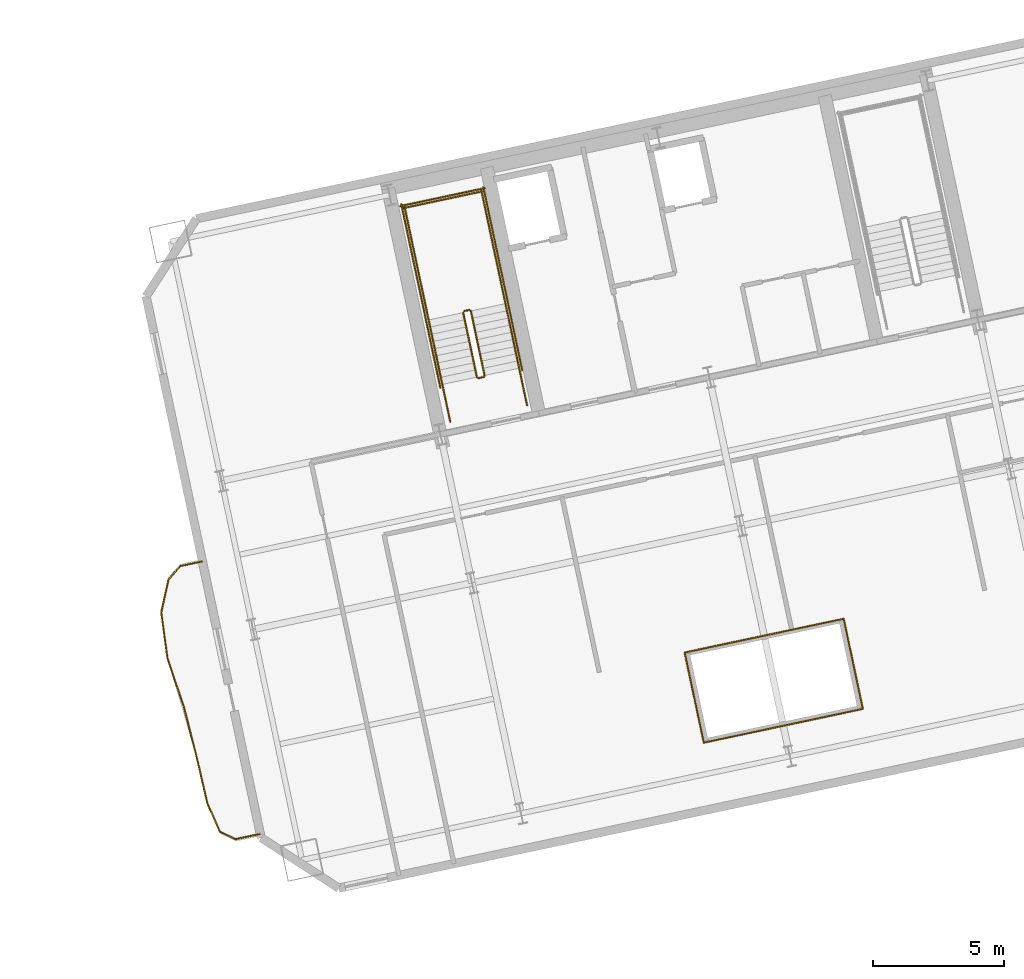
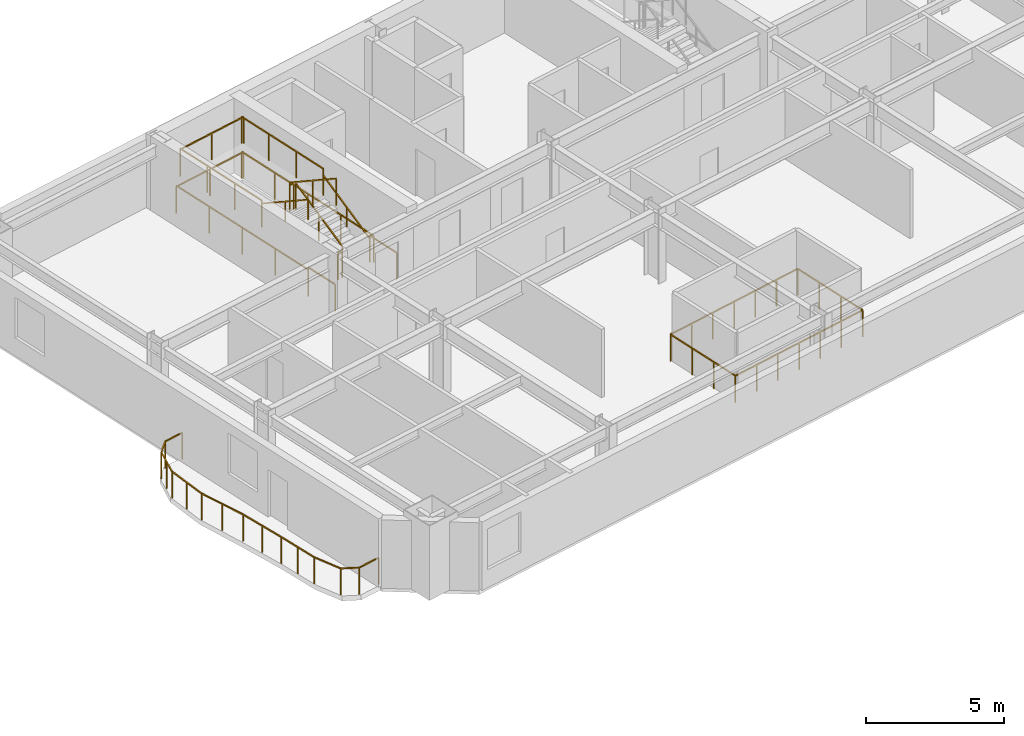
# One storey, part 12 of 13: 28 railings.
"""IFC4 building model written with IfcOpenShell, lengths in metres."""

from ifc_helpers import new_model, si_unit, direction, frame, origin, origin_2d, place, context, subcontext, project, spatial, rectangle, extrude, material, type_object, element, save


model = new_model("IFC4")

# Units and contexts
model_context = context("Model", 3, precision=1e-05, world=origin(), true_north=direction((0.0, 1.0)))
body_context = subcontext(model_context, "Body", "Model", "MODEL_VIEW")
ifc_project = project(units=[si_unit("LENGTHUNIT", "METRE"), si_unit("AREAUNIT", "SQUARE_METRE"), si_unit("VOLUMEUNIT", "CUBIC_METRE"), si_unit("PLANEANGLEUNIT", "RADIAN"), si_unit("MASSUNIT", "GRAM", prefix="KILO")], contexts=[model_context])

# Site, building, storey
site_placement = place(None, origin())
site = spatial("IfcSite", under=ifc_project, at=site_placement, CompositionType="ELEMENT")
building_placement = place(site_placement, origin())
building = spatial("IfcBuilding", under=site, at=building_placement, Name="Haevon Station Towers", CompositionType="ELEMENT")
storey_placement = place(building_placement, frame((0.0, 0.0, 96.60009765625)))
storey = spatial("IfcBuildingStorey", under=building, at=storey_placement, Name="L25", CompositionType="ELEMENT", Elevation=96.60009765625)

# Railings
ifc_material = material(Name="Steel S355", Category="steel")
railing_type_1 = type_object("IfcRailingType", Name="BAL-ATR1200", PredefinedType="BALUSTRADE", material=ifc_material)
railing_1_placement = place(storey_placement, frame((108.81591796875, 25.668212890625, 0.0)))
element("IfcRailing", 1, at=railing_1_placement, inside=storey, type_object=railing_type_1, Name="L25 Atrium Void Balustrade 1", PredefinedType="BALUSTRADE", context=body_context, shape_type="SweptSolid", body=[
    extrude(rectangle(XDim=0.048095703125, YDim=0.048095703125, at=origin_2d()), frame((0.0, 0.0, 1.17578125), z_axis=(0.97814235822, 0.207936353378, 0.0), x_axis=(-0.207936353378, 0.97814235822, 0.0)), (0.0, 0.0, 1.0), 6.208740234375),
    extrude(rectangle(XDim=0.0419921875, YDim=0.0419921875, at=origin_2d()), origin(), (0.0, 0.0, 1.0), 1.15185546875),
    extrude(rectangle(XDim=0.0419921875, YDim=0.0419921875, at=origin_2d()), frame((1.01220703125, 0.215087890625, 0.0)), (0.0, 0.0, 1.0), 1.15185546875),
    extrude(rectangle(XDim=0.0419921875, YDim=0.0419921875, at=origin_2d()), frame((2.0244140625, 0.430419921875, 0.0)), (0.0, 0.0, 1.0), 1.15185546875),
    extrude(rectangle(XDim=0.0419921875, YDim=0.0419921875, at=origin_2d()), frame((3.03662109375, 0.6455078125, 0.0)), (0.0, 0.0, 1.0), 1.15185546875),
    extrude(rectangle(XDim=0.0419921875, YDim=0.0419921875, at=origin_2d()), frame((4.048583984375, 0.860595703125, 0.0)), (0.0, 0.0, 1.0), 1.15185546875),
    extrude(rectangle(XDim=0.0419921875, YDim=0.0419921875, at=origin_2d()), frame((5.060791015625, 1.075927734375, 0.0)), (0.0, 0.0, 1.0), 1.15185546875),
    extrude(rectangle(XDim=0.0419921875, YDim=0.0419921875, at=origin_2d()), frame((6.072998046875, 1.291015625, 0.0)), (0.0, 0.0, 1.0), 1.15185546875),
])
railing_2_placement = place(storey_placement, frame((114.888916015625, 26.959228515625, 0.0)))
element("IfcRailing", 2, at=railing_2_placement, inside=storey, type_object=railing_type_1, Name="L25 Atrium Void Balustrade 2", PredefinedType="BALUSTRADE", context=body_context, shape_type="SweptSolid", body=[
    extrude(rectangle(XDim=0.048095703125, YDim=0.048095703125, at=origin_2d()), frame((0.0, 0.0, 1.17578125), z_axis=(-0.207898592019, 0.978150384878, 0.0), x_axis=(-0.978150384878, -0.207898592019, 0.0)), (0.0, 0.0, 1.0), 3.518310546875),
    extrude(rectangle(XDim=0.0419921875, YDim=0.0419921875, at=origin_2d()), origin(), (0.0, 0.0, 1.0), 1.15185546875),
    extrude(rectangle(XDim=0.0419921875, YDim=0.0419921875, at=origin_2d()), frame((-0.243896484375, 1.147216796875, 0.0)), (0.0, 0.0, 1.0), 1.15185546875),
    extrude(rectangle(XDim=0.0419921875, YDim=0.0419921875, at=origin_2d()), frame((-0.487548828125, 2.294189453125, 0.0)), (0.0, 0.0, 1.0), 1.15185546875),
    extrude(rectangle(XDim=0.0419921875, YDim=0.0419921875, at=origin_2d()), frame((-0.7314453125, 3.44140625, 0.0)), (0.0, 0.0, 1.0), 1.15185546875),
])
railing_3_placement = place(storey_placement, frame((114.157470703125, 30.400634765625, 0.0)))
element("IfcRailing", 3, at=railing_3_placement, inside=storey, type_object=railing_type_1, Name="L25 Atrium Void Balustrade 3", PredefinedType="BALUSTRADE", context=body_context, shape_type="SweptSolid", body=[
    extrude(rectangle(XDim=0.048095703125, YDim=0.048095703125, at=origin_2d()), frame((0.0, 0.0, 1.17578125), z_axis=(-0.978144058321, -0.207928355861, 0.0), x_axis=(0.207928355861, -0.978144058321, 0.0)), (0.0, 0.0, 1.0), 6.208984375),
    extrude(rectangle(XDim=0.0419921875, YDim=0.0419921875, at=origin_2d()), origin(), (0.0, 0.0, 1.0), 1.15185546875),
    extrude(rectangle(XDim=0.0419921875, YDim=0.0419921875, at=origin_2d()), frame((-1.01220703125, -0.215087890625, 0.0)), (0.0, 0.0, 1.0), 1.15185546875),
    extrude(rectangle(XDim=0.0419921875, YDim=0.0419921875, at=origin_2d()), frame((-2.0244140625, -0.430419921875, 0.0)), (0.0, 0.0, 1.0), 1.15185546875),
    extrude(rectangle(XDim=0.0419921875, YDim=0.0419921875, at=origin_2d()), frame((-3.03662109375, -0.6455078125, 0.0)), (0.0, 0.0, 1.0), 1.15185546875),
    extrude(rectangle(XDim=0.0419921875, YDim=0.0419921875, at=origin_2d()), frame((-4.048828125, -0.860595703125, 0.0)), (0.0, 0.0, 1.0), 1.15185546875),
    extrude(rectangle(XDim=0.0419921875, YDim=0.0419921875, at=origin_2d()), frame((-5.06103515625, -1.075927734375, 0.0)), (0.0, 0.0, 1.0), 1.15185546875),
    extrude(rectangle(XDim=0.0419921875, YDim=0.0419921875, at=origin_2d()), frame((-6.0732421875, -1.291015625, 0.0)), (0.0, 0.0, 1.0), 1.15185546875),
])
railing_4_placement = place(storey_placement, frame((108.084228515625, 29.109619140625, 0.0)))
element("IfcRailing", 4, at=railing_4_placement, inside=storey, type_object=railing_type_1, Name="L25 Atrium Void Balustrade 4", PredefinedType="BALUSTRADE", context=body_context, shape_type="SweptSolid", body=[
    extrude(rectangle(XDim=0.048095703125, YDim=0.048095703125, at=origin_2d()), frame((0.0, 0.0, 1.17578125), z_axis=(0.207964983384, -0.978136271532, 0.0), x_axis=(0.978136271532, 0.207964983384, 0.0)), (0.0, 0.0, 1.0), 3.518310546875),
    extrude(rectangle(XDim=0.0419921875, YDim=0.0419921875, at=origin_2d()), origin(), (0.0, 0.0, 1.0), 1.15185546875),
    extrude(rectangle(XDim=0.0419921875, YDim=0.0419921875, at=origin_2d()), frame((0.243896484375, -1.147216796875, 0.0)), (0.0, 0.0, 1.0), 1.15185546875),
    extrude(rectangle(XDim=0.0419921875, YDim=0.0419921875, at=origin_2d()), frame((0.48779296875, -2.294189453125, 0.0)), (0.0, 0.0, 1.0), 1.15185546875),
    extrude(rectangle(XDim=0.0419921875, YDim=0.0419921875, at=origin_2d()), frame((0.731689453125, -3.44140625, 0.0)), (0.0, 0.0, 1.0), 1.15185546875),
])
railing_type_2 = type_object("IfcRailingType", Name="GRD-EXT1200", PredefinedType="GUARDRAIL", material=ifc_material)
railing_5_placement = place(storey_placement, frame((89.638671875, 32.588623046875, 0.0)))
element("IfcRailing", 5, at=railing_5_placement, inside=storey, type_object=railing_type_2, Name="L25 Perimeter Guardrail 1", PredefinedType="GUARDRAIL", context=body_context, shape_type="SweptSolid", body=[
    extrude(rectangle(XDim=0.048095703125, YDim=0.048095703125, at=origin_2d()), frame((0.0, 0.0, 1.17578125), z_axis=(-0.977678572445, -0.210106185017, 0.0), x_axis=(0.210106185017, -0.977678572445, 0.0)), (0.0, 0.0, 1.0), 0.837890625),
    extrude(rectangle(XDim=0.0419921875, YDim=0.0419921875, at=origin_2d()), origin(), (0.0, 0.0, 1.0), 1.15185546875),
    extrude(rectangle(XDim=0.0419921875, YDim=0.0419921875, at=origin_2d()), frame((-0.819091796875, -0.176025390625, 0.0)), (0.0, 0.0, 1.0), 1.15185546875),
])
railing_6_placement = place(storey_placement, frame((88.819580078125, 32.41259765625, 0.0)))
element("IfcRailing", 6, at=railing_6_placement, inside=storey, type_object=railing_type_2, Name="L25 Perimeter Guardrail 2", PredefinedType="GUARDRAIL", context=body_context, shape_type="SweptSolid", body=[
    extrude(rectangle(XDim=0.048095703125, YDim=0.048095703125, at=origin_2d()), frame((0.0, 0.0, 1.17578125), z_axis=(-0.660260108832, -0.751037008865, 0.0), x_axis=(0.751037008865, -0.660260108832, 0.0)), (0.0, 0.0, 1.0), 0.6884765625),
    extrude(rectangle(XDim=0.0419921875, YDim=0.0419921875, at=origin_2d()), origin(), (0.0, 0.0, 1.0), 1.15185546875),
    extrude(rectangle(XDim=0.0419921875, YDim=0.0419921875, at=origin_2d()), frame((-0.45458984375, -0.51708984375, 0.0)), (0.0, 0.0, 1.0), 1.15185546875),
])
railing_7_placement = place(storey_placement, frame((88.364990234375, 31.8955078125, 0.0)))
element("IfcRailing", 7, at=railing_7_placement, inside=storey, type_object=railing_type_2, Name="L25 Perimeter Guardrail 3", PredefinedType="GUARDRAIL", context=body_context, shape_type="SweptSolid", body=[
    extrude(rectangle(XDim=0.048095703125, YDim=0.048095703125, at=origin_2d()), frame((0.0, 0.0, 1.17578125), z_axis=(-0.215521594097, -0.976499074489, 0.0), x_axis=(0.976499074489, -0.215521594097, 0.0)), (0.0, 0.0, 1.0), 1.28466796875),
    extrude(rectangle(XDim=0.0419921875, YDim=0.0419921875, at=origin_2d()), origin(), (0.0, 0.0, 1.0), 1.15185546875),
    extrude(rectangle(XDim=0.0419921875, YDim=0.0419921875, at=origin_2d()), frame((-0.138427734375, -0.627197265625, 0.0)), (0.0, 0.0, 1.0), 1.15185546875),
    extrude(rectangle(XDim=0.0419921875, YDim=0.0419921875, at=origin_2d()), frame((-0.27685546875, -1.25439453125, 0.0)), (0.0, 0.0, 1.0), 1.15185546875),
])
railing_8_placement = place(storey_placement, frame((88.088134765625, 30.64111328125, 0.0)))
element("IfcRailing", 8, at=railing_8_placement, inside=storey, type_object=railing_type_2, Name="L25 Perimeter Guardrail 4", PredefinedType="GUARDRAIL", context=body_context, shape_type="SweptSolid", body=[
    extrude(rectangle(XDim=0.048095703125, YDim=0.048095703125, at=origin_2d()), frame((0.0, 0.0, 1.17578125), z_axis=(0.134298751156, -0.990940888973, 0.0), x_axis=(0.990940888973, 0.134298751156, 0.0)), (0.0, 0.0, 1.0), 1.75244140625),
    extrude(rectangle(XDim=0.0419921875, YDim=0.0419921875, at=origin_2d()), origin(), (0.0, 0.0, 1.0), 1.15185546875),
    extrude(rectangle(XDim=0.0419921875, YDim=0.0419921875, at=origin_2d()), frame((0.11767578125, -0.8681640625, 0.0)), (0.0, 0.0, 1.0), 1.15185546875),
    extrude(rectangle(XDim=0.0419921875, YDim=0.0419921875, at=origin_2d()), frame((0.2353515625, -1.736572265625, 0.0)), (0.0, 0.0, 1.0), 1.15185546875),
])
railing_9_placement = place(storey_placement, frame((88.323486328125, 28.904541015625, 0.0)))
element("IfcRailing", 9, at=railing_9_placement, inside=storey, type_object=railing_type_2, Name="L25 Perimeter Guardrail 5", PredefinedType="GUARDRAIL", context=body_context, shape_type="SweptSolid", body=[
    extrude(rectangle(XDim=0.048095703125, YDim=0.048095703125, at=origin_2d()), frame((0.0, 0.0, 1.17578125), z_axis=(0.318965656709, -0.947766273846, 0.0), x_axis=(0.947766273846, 0.318965656709, 0.0)), (0.0, 0.0, 1.0), 2.00537109375),
    extrude(rectangle(XDim=0.0419921875, YDim=0.0419921875, at=origin_2d()), origin(), (0.0, 0.0, 1.0), 1.15185546875),
    extrude(rectangle(XDim=0.0419921875, YDim=0.0419921875, at=origin_2d()), frame((0.31982421875, -0.9501953125, 0.0)), (0.0, 0.0, 1.0), 1.15185546875),
    extrude(rectangle(XDim=0.0419921875, YDim=0.0419921875, at=origin_2d()), frame((0.6396484375, -1.900634765625, 0.0)), (0.0, 0.0, 1.0), 1.15185546875),
])
railing_10_placement = place(storey_placement, frame((88.963134765625, 27.00390625, 0.0)))
element("IfcRailing", 10, at=railing_10_placement, inside=storey, type_object=railing_type_2, Name="L25 Perimeter Guardrail 6", PredefinedType="GUARDRAIL", context=body_context, shape_type="SweptSolid", body=[
    extrude(rectangle(XDim=0.048095703125, YDim=0.048095703125, at=origin_2d()), frame((0.0, 0.0, 1.17578125), z_axis=(0.245017556075, -0.969518642015, 0.0), x_axis=(0.969518642015, 0.245017556075, 0.0)), (0.0, 0.0, 1.0), 1.98974609375),
    extrude(rectangle(XDim=0.0419921875, YDim=0.0419921875, at=origin_2d()), origin(), (0.0, 0.0, 1.0), 1.15185546875),
    extrude(rectangle(XDim=0.0419921875, YDim=0.0419921875, at=origin_2d()), frame((0.24365234375, -0.964599609375, 0.0)), (0.0, 0.0, 1.0), 1.15185546875),
    extrude(rectangle(XDim=0.0419921875, YDim=0.0419921875, at=origin_2d()), frame((0.487548828125, -1.92919921875, 0.0)), (0.0, 0.0, 1.0), 1.15185546875),
])
railing_11_placement = place(storey_placement, frame((89.45068359375, 25.07470703125, 0.0)))
element("IfcRailing", 11, at=railing_11_placement, inside=storey, type_object=railing_type_2, Name="L25 Perimeter Guardrail 7", PredefinedType="GUARDRAIL", context=body_context, shape_type="SweptSolid", body=[
    extrude(rectangle(XDim=0.048095703125, YDim=0.048095703125, at=origin_2d()), frame((0.0, 0.0, 1.17578125), z_axis=(0.225205758007, -0.974311226745, 0.0), x_axis=(0.974311226745, 0.225205758007, 0.0)), (0.0, 0.0, 1.0), 1.750732421875),
    extrude(rectangle(XDim=0.0419921875, YDim=0.0419921875, at=origin_2d()), origin(), (0.0, 0.0, 1.0), 1.15185546875),
    extrude(rectangle(XDim=0.0419921875, YDim=0.0419921875, at=origin_2d()), frame((0.197265625, -0.85302734375, 0.0)), (0.0, 0.0, 1.0), 1.15185546875),
    extrude(rectangle(XDim=0.0419921875, YDim=0.0419921875, at=origin_2d()), frame((0.394287109375, -1.705810546875, 0.0)), (0.0, 0.0, 1.0), 1.15185546875),
])
railing_12_placement = place(storey_placement, frame((89.844970703125, 23.368896484375, 0.0)))
element("IfcRailing", 12, at=railing_12_placement, inside=storey, type_object=railing_type_2, Name="L25 Perimeter Guardrail 8", PredefinedType="GUARDRAIL", context=body_context, shape_type="SweptSolid", body=[
    extrude(rectangle(XDim=0.048095703125, YDim=0.048095703125, at=origin_2d()), frame((0.0, 0.0, 1.17578125), z_axis=(0.399144782292, -0.916887911781, 0.0), x_axis=(0.916887911781, 0.399144782292, 0.0)), (0.0, 0.0, 1.0), 1.19384765625),
    extrude(rectangle(XDim=0.0419921875, YDim=0.0419921875, at=origin_2d()), origin(), (0.0, 0.0, 1.0), 1.15185546875),
    extrude(rectangle(XDim=0.0419921875, YDim=0.0419921875, at=origin_2d()), frame((0.4765625, -1.0947265625, 0.0)), (0.0, 0.0, 1.0), 1.15185546875),
])
railing_13_placement = place(storey_placement, frame((90.321533203125, 22.274169921875, 0.0)))
element("IfcRailing", 13, at=railing_13_placement, inside=storey, type_object=railing_type_2, Name="L25 Perimeter Guardrail 9", PredefinedType="GUARDRAIL", context=body_context, shape_type="SweptSolid", body=[
    extrude(rectangle(XDim=0.048095703125, YDim=0.048095703125, at=origin_2d()), frame((0.0, 0.0, 1.17578125), z_axis=(0.901353185294, -0.433084790036, 0.0), x_axis=(0.433084790036, 0.901353185294, 0.0)), (0.0, 0.0, 1.0), 0.673095703125),
    extrude(rectangle(XDim=0.0419921875, YDim=0.0419921875, at=origin_2d()), origin(), (0.0, 0.0, 1.0), 1.15185546875),
    extrude(rectangle(XDim=0.0419921875, YDim=0.0419921875, at=origin_2d()), frame((0.606689453125, -0.29150390625, 0.0)), (0.0, 0.0, 1.0), 1.15185546875),
])
railing_14_placement = place(storey_placement, frame((90.92822265625, 21.982666015625, 0.0)))
element("IfcRailing", 14, at=railing_14_placement, inside=storey, type_object=railing_type_2, Name="L25 Perimeter Guardrail 10", PredefinedType="GUARDRAIL", context=body_context, shape_type="SweptSolid", body=[
    extrude(rectangle(XDim=0.048095703125, YDim=0.048095703125, at=origin_2d()), frame((0.0, 0.0, 1.17578125), z_axis=(0.978571736022, 0.205906186062, 0.0), x_axis=(-0.205906186062, 0.978571736022, 0.0)), (0.0, 0.0, 1.0), 0.94384765625),
    extrude(rectangle(XDim=0.0419921875, YDim=0.0419921875, at=origin_2d()), origin(), (0.0, 0.0, 1.0), 1.15185546875),
    extrude(rectangle(XDim=0.0419921875, YDim=0.0419921875, at=origin_2d()), frame((0.923583984375, 0.1943359375, 0.0)), (0.0, 0.0, 1.0), 1.15185546875),
])
railing_type_3 = type_object("IfcRailingType", Name="GRD-STR1200", PredefinedType="GUARDRAIL", material=ifc_material)
railing_15_placement = place(storey_placement, frame((100.44140625, 39.69287109375, 0.164794921875)))
element("IfcRailing", 15, at=railing_15_placement, inside=storey, type_object=railing_type_3, Name="L25 ST3 Stair Guard 1", PredefinedType="GUARDRAIL", context=body_context, shape_type="SweptSolid", body=[
    extrude(rectangle(XDim=0.048095703125, YDim=0.048095703125, at=origin_2d()), frame((0.0, 0.0, 1.17578125), z_axis=(-0.179121265225, 0.842687928106, 0.507732831485), x_axis=(-0.978147030254, -0.207914374695, 0.0)), (0.0, 0.0, 1.0), 2.925048828125),
    extrude(rectangle(XDim=0.0419921875, YDim=0.0419921875, at=origin_2d()), origin(), (0.0, 0.0, 1.0), 1.15185546875),
    extrude(rectangle(XDim=0.0419921875, YDim=0.0419921875, at=origin_2d()), frame((-0.261962890625, 1.232421875, 0.74267578125)), (0.0, 0.0, 1.0), 1.15185546875),
    extrude(rectangle(XDim=0.0419921875, YDim=0.0419921875, at=origin_2d()), frame((-0.52392578125, 2.46484375, 1.485107421875)), (0.0, 0.0, 1.0), 1.15185546875),
])
railing_16_placement = place(storey_placement, frame((99.858154296875, 42.1962890625, 1.64990234375)))
element("IfcRailing", 16, at=railing_16_placement, inside=storey, type_object=railing_type_3, Name="L25 ST3 Stair Guard 2", PredefinedType="GUARDRAIL", context=body_context, shape_type="SweptSolid", body=[
    extrude(rectangle(XDim=0.048095703125, YDim=0.048095703125, at=origin_2d()), frame((0.0, 0.0, 1.17578125), z_axis=(-0.977962931203, -0.208778603291, 0.0), x_axis=(0.208778603291, -0.977962931203, 0.0)), (0.0, 0.0, 1.0), 0.199951171875),
    extrude(rectangle(XDim=0.0419921875, YDim=0.0419921875, at=origin_2d()), origin(), (0.0, 0.0, 1.0), 1.15185546875),
    extrude(rectangle(XDim=0.0419921875, YDim=0.0419921875, at=origin_2d()), frame((-0.195556640625, -0.041748046875, 0.0)), (0.0, 0.0, 1.0), 1.15185546875),
])
railing_17_placement = place(storey_placement, frame((101.238037109375, 42.4384765625, 1.64990234375)))
element("IfcRailing", 17, at=railing_17_placement, inside=storey, type_object=railing_type_3, Name="L25 ST3 Stair Guard 3", PredefinedType="GUARDRAIL", context=body_context, shape_type="SweptSolid", body=[
    extrude(rectangle(XDim=0.048095703125, YDim=0.048095703125, at=origin_2d()), frame((0.0, 0.0, 1.17578125), z_axis=(-0.20794048909, 0.978141479029, 0.0), x_axis=(-0.978141479029, -0.20794048909, 0.0)), (0.0, 0.0, 1.0), 4.429931640625),
    extrude(rectangle(XDim=0.0419921875, YDim=0.0419921875, at=origin_2d()), origin(), (0.0, 0.0, 1.0), 1.15185546875),
    extrude(rectangle(XDim=0.0419921875, YDim=0.0419921875, at=origin_2d()), frame((-0.30712890625, 1.4443359375, 0.0)), (0.0, 0.0, 1.0), 1.15185546875),
    extrude(rectangle(XDim=0.0419921875, YDim=0.0419921875, at=origin_2d()), frame((-0.614013671875, 2.888671875, 0.0)), (0.0, 0.0, 1.0), 1.15185546875),
    extrude(rectangle(XDim=0.0419921875, YDim=0.0419921875, at=origin_2d()), frame((-0.921142578125, 4.3330078125, 0.0)), (0.0, 0.0, 1.0), 1.15185546875),
])
railing_18_placement = place(storey_placement, frame((98.303466796875, 41.814697265625, 1.64990234375)))
element("IfcRailing", 18, at=railing_18_placement, inside=storey, type_object=railing_type_3, Name="L25 ST3 Stair Guard 4", PredefinedType="GUARDRAIL", context=body_context, shape_type="SweptSolid", body=[
    extrude(rectangle(XDim=0.048095703125, YDim=0.048095703125, at=origin_2d()), frame((0.0, 0.0, 1.17578125), z_axis=(-0.207876551949, 0.978155069071, 0.0), x_axis=(-0.978155069071, -0.207876551949, 0.0)), (0.0, 0.0, 1.0), 4.429931640625),
    extrude(rectangle(XDim=0.0419921875, YDim=0.0419921875, at=origin_2d()), origin(), (0.0, 0.0, 1.0), 1.15185546875),
    extrude(rectangle(XDim=0.0419921875, YDim=0.0419921875, at=origin_2d()), frame((-0.306884765625, 1.4443359375, 0.0)), (0.0, 0.0, 1.0), 1.15185546875),
    extrude(rectangle(XDim=0.0419921875, YDim=0.0419921875, at=origin_2d()), frame((-0.614013671875, 2.888916015625, 0.0)), (0.0, 0.0, 1.0), 1.15185546875),
    extrude(rectangle(XDim=0.0419921875, YDim=0.0419921875, at=origin_2d()), frame((-0.9208984375, 4.333251953125, 0.0)), (0.0, 0.0, 1.0), 1.15185546875),
])
railing_19_placement = place(storey_placement, frame((100.376220703125, 46.733154296875, 1.64990234375)))
element("IfcRailing", 19, at=railing_19_placement, inside=storey, type_object=railing_type_3, Name="L25 ST3 Stair Guard 5", PredefinedType="GUARDRAIL", context=body_context, shape_type="SweptSolid", body=[
    extrude(rectangle(XDim=0.048095703125, YDim=0.048095703125, at=origin_2d()), frame((0.0, 0.0, 1.17578125), z_axis=(-0.978146839882, -0.207915270313, 0.0), x_axis=(0.207915270313, -0.978146839882, 0.0)), (0.0, 0.0, 1.0), 3.099853515625),
    extrude(rectangle(XDim=0.0419921875, YDim=0.0419921875, at=origin_2d()), origin(), (0.0, 0.0, 1.0), 1.15185546875),
    extrude(rectangle(XDim=0.0419921875, YDim=0.0419921875, at=origin_2d()), frame((-1.51611328125, -0.322265625, 0.0)), (0.0, 0.0, 1.0), 1.15185546875),
    extrude(rectangle(XDim=0.0419921875, YDim=0.0419921875, at=origin_2d()), frame((-3.0322265625, -0.64453125, 0.0)), (0.0, 0.0, 1.0), 1.15185546875),
])
railing_20_placement = place(storey_placement, frame((99.6240234375, 42.09521484375, 1.81494140625)))
element("IfcRailing", 20, at=railing_20_placement, inside=storey, type_object=railing_type_3, Name="L25 ST3 Stair Guard 6", PredefinedType="GUARDRAIL", context=body_context, shape_type="SweptSolid", body=[
    extrude(rectangle(XDim=0.048095703125, YDim=0.048095703125, at=origin_2d()), frame((0.0, 0.0, 1.17578125), z_axis=(0.179128856099, -0.842723639875, 0.507670877349), x_axis=(0.978147030254, 0.207914374695, 0.0)), (0.0, 0.0, 1.0), 2.9248046875),
    extrude(rectangle(XDim=0.0419921875, YDim=0.0419921875, at=origin_2d()), origin(), (0.0, 0.0, 1.0), 1.15185546875),
    extrude(rectangle(XDim=0.0419921875, YDim=0.0419921875, at=origin_2d()), frame((0.261962890625, -1.232421875, 0.742431640625)), (0.0, 0.0, 1.0), 1.15185546875),
    extrude(rectangle(XDim=0.0419921875, YDim=0.0419921875, at=origin_2d()), frame((0.52392578125, -2.46484375, 1.48486328125)), (0.0, 0.0, 1.0), 1.15185546875),
])
railing_21_placement = place(storey_placement, frame((100.40283203125, 39.633544921875, 0.0)))
element("IfcRailing", 21, at=railing_21_placement, inside=storey, type_object=railing_type_3, Name="L25 ST3 Stair Guard 7", PredefinedType="GUARDRAIL", context=body_context, shape_type="SweptSolid", body=[
    extrude(rectangle(XDim=0.048095703125, YDim=0.048095703125, at=origin_2d()), frame((0.0, 0.0, 1.17578125), z_axis=(-0.977962931203, -0.208778603291, 0.0), x_axis=(0.208778603291, -0.977962931203, 0.0)), (0.0, 0.0, 1.0), 0.199951171875),
    extrude(rectangle(XDim=0.0419921875, YDim=0.0419921875, at=origin_2d()), origin(), (0.0, 0.0, 1.0), 1.15185546875),
    extrude(rectangle(XDim=0.0419921875, YDim=0.0419921875, at=origin_2d()), frame((-0.195556640625, -0.041748046875, 0.0)), (0.0, 0.0, 1.0), 1.15185546875),
])
for number, where, name in (
    (22, (102.0634765625, 38.55517578125, 0.0), "L25 ST3 Stair Guard 8"),
    (23, (99.12890625, 37.931396484375, 0.0), "L25 ST3 Stair Guard 9"),
):
    element("IfcRailing", number, at=place(storey_placement, frame(where)), inside=storey, type_object=railing_type_3, Name=name, PredefinedType="GUARDRAIL", context=body_context, shape_type="SweptSolid", body=[
        extrude(rectangle(XDim=0.048095703125, YDim=0.048095703125, at=origin_2d()), frame((0.0, 0.0, 1.17578125), z_axis=(-0.207953405961, 0.978138732977, 0.0), x_axis=(-0.978138732977, -0.207953405961, 0.0)), (0.0, 0.0, 1.0), 1.449951171875),
        extrude(rectangle(XDim=0.0419921875, YDim=0.0419921875, at=origin_2d()), origin(), (0.0, 0.0, 1.0), 1.15185546875),
        extrude(rectangle(XDim=0.0419921875, YDim=0.0419921875, at=origin_2d()), frame((-0.301513671875, 1.418212890625, 0.0)), (0.0, 0.0, 1.0), 1.15185546875),
    ])
railing_22_placement = place(storey_placement, frame((101.88037109375, 39.896484375, 0.0)))
element("IfcRailing", 24, at=railing_22_placement, inside=storey, type_object=railing_type_3, Name="L25 ST3 Stair Guard 10", PredefinedType="GUARDRAIL", context=body_context, shape_type="SweptSolid", body=[
    extrude(rectangle(XDim=0.048095703125, YDim=0.048095703125, at=origin_2d()), frame((0.0, 0.0, 1.17578125), z_axis=(-0.207882442208, 0.978153817261, 0.0), x_axis=(-0.978153817261, -0.207882442208, 0.0)), (0.0, 0.0, 1.0), 7.14990234375),
    extrude(rectangle(XDim=0.0419921875, YDim=0.0419921875, at=origin_2d()), origin(), (0.0, 0.0, 1.0), 1.15185546875),
    extrude(rectangle(XDim=0.0419921875, YDim=0.0419921875, at=origin_2d()), frame((-0.37158203125, 1.74853515625, 0.0)), (0.0, 0.0, 1.0), 1.15185546875),
    extrude(rectangle(XDim=0.0419921875, YDim=0.0419921875, at=origin_2d()), frame((-0.7431640625, 3.496826171875, 0.0)), (0.0, 0.0, 1.0), 1.15185546875),
    extrude(rectangle(XDim=0.0419921875, YDim=0.0419921875, at=origin_2d()), frame((-1.11474609375, 5.2451171875, 0.0)), (0.0, 0.0, 1.0), 1.15185546875),
    extrude(rectangle(XDim=0.0419921875, YDim=0.0419921875, at=origin_2d()), frame((-1.486328125, 6.99365234375, 0.0)), (0.0, 0.0, 1.0), 1.15185546875),
])
railing_23_placement = place(storey_placement, frame((98.75048828125, 39.231201171875, 0.0)))
element("IfcRailing", 25, at=railing_23_placement, inside=storey, type_object=railing_type_3, Name="L25 ST3 Stair Guard 11", PredefinedType="GUARDRAIL", context=body_context, shape_type="SweptSolid", body=[
    extrude(rectangle(XDim=0.048095703125, YDim=0.048095703125, at=origin_2d()), frame((0.0, 0.0, 1.17578125), z_axis=(-0.207915112487, 0.978146873429, 0.0), x_axis=(-0.978146873429, -0.207915112487, 0.0)), (0.0, 0.0, 1.0), 7.14990234375),
    extrude(rectangle(XDim=0.0419921875, YDim=0.0419921875, at=origin_2d()), origin(), (0.0, 0.0, 1.0), 1.15185546875),
    extrude(rectangle(XDim=0.0419921875, YDim=0.0419921875, at=origin_2d()), frame((-0.37158203125, 1.74853515625, 0.0)), (0.0, 0.0, 1.0), 1.15185546875),
    extrude(rectangle(XDim=0.0419921875, YDim=0.0419921875, at=origin_2d()), frame((-0.7431640625, 3.496826171875, 0.0)), (0.0, 0.0, 1.0), 1.15185546875),
    extrude(rectangle(XDim=0.0419921875, YDim=0.0419921875, at=origin_2d()), frame((-1.114990234375, 5.2451171875, 0.0)), (0.0, 0.0, 1.0), 1.15185546875),
    extrude(rectangle(XDim=0.0419921875, YDim=0.0419921875, at=origin_2d()), frame((-1.486572265625, 6.99365234375, 0.0)), (0.0, 0.0, 1.0), 1.15185546875),
])
railing_24_placement = place(storey_placement, frame((100.453125, 46.8515625, 0.0)))
element("IfcRailing", 26, at=railing_24_placement, inside=storey, type_object=railing_type_3, Name="L25 ST3 Stair Guard 12", PredefinedType="GUARDRAIL", context=body_context, shape_type="SweptSolid", body=[
    extrude(rectangle(XDim=0.048095703125, YDim=0.048095703125, at=origin_2d()), frame((0.0, 0.0, 1.17578125), z_axis=(-0.978150764849, -0.207896804268, 0.0), x_axis=(0.207896804268, -0.978150764849, 0.0)), (0.0, 0.0, 1.0), 3.2998046875),
    extrude(rectangle(XDim=0.0419921875, YDim=0.0419921875, at=origin_2d()), origin(), (0.0, 0.0, 1.0), 1.15185546875),
    extrude(rectangle(XDim=0.0419921875, YDim=0.0419921875, at=origin_2d()), frame((-1.61376953125, -0.343017578125, 0.0)), (0.0, 0.0, 1.0), 1.15185546875),
    extrude(rectangle(XDim=0.0419921875, YDim=0.0419921875, at=origin_2d()), frame((-3.227783203125, -0.68603515625, 0.0)), (0.0, 0.0, 1.0), 1.15185546875),
])
railing_type_4 = type_object("IfcRailingType", Name="HND-STR900", PredefinedType="HANDRAIL", material=ifc_material)
railing_25_placement = place(storey_placement, frame((101.761962890625, 39.973388671875, 0.164794921875)))
element("IfcRailing", 27, at=railing_25_placement, inside=storey, type_object=railing_type_4, Name="L25 ST3 Stair Handrail 1", PredefinedType="HANDRAIL", context=body_context, shape_type="SweptSolid", body=[
    extrude(rectangle(XDim=0.048095703125, YDim=0.048095703125, at=origin_2d()), frame((0.0, 0.0, 0.8759765625), z_axis=(-0.179108667068, 0.842712120868, 0.50769712105), x_axis=(-0.978151217824, -0.207894673017, 0.0)), (0.0, 0.0, 1.0), 2.92529296875),
    extrude(rectangle(XDim=0.0419921875, YDim=0.0419921875, at=origin_2d()), origin(), (0.0, 0.0, 1.0), 0.851806640625),
    extrude(rectangle(XDim=0.0419921875, YDim=0.0419921875, at=origin_2d()), frame((-0.261962890625, 1.232421875, 0.74267578125)), (0.0, 0.0, 1.0), 0.851806640625),
    extrude(rectangle(XDim=0.0419921875, YDim=0.0419921875, at=origin_2d()), frame((-0.52392578125, 2.465087890625, 1.485107421875)), (0.0, 0.0, 1.0), 0.851806640625),
])
railing_26_placement = place(storey_placement, frame((98.303466796875, 41.814697265625, 1.81494140625)))
element("IfcRailing", 28, at=railing_26_placement, inside=storey, type_object=railing_type_4, Name="L25 ST3 Stair Handrail 2", PredefinedType="HANDRAIL", context=body_context, shape_type="SweptSolid", body=[
    extrude(rectangle(XDim=0.048095703125, YDim=0.048095703125, at=origin_2d()), frame((0.0, 0.0, 0.8759765625), z_axis=(0.179116256339, -0.842747828638, 0.507635168246), x_axis=(0.978151217824, 0.207894673017, 0.0)), (0.0, 0.0, 1.0), 2.925048828125),
    extrude(rectangle(XDim=0.0419921875, YDim=0.0419921875, at=origin_2d()), origin(), (0.0, 0.0, 1.0), 0.851806640625),
    extrude(rectangle(XDim=0.0419921875, YDim=0.0419921875, at=origin_2d()), frame((0.261962890625, -1.232421875, 0.742431640625)), (0.0, 0.0, 1.0), 0.851806640625),
    extrude(rectangle(XDim=0.0419921875, YDim=0.0419921875, at=origin_2d()), frame((0.52392578125, -2.465087890625, 1.48486328125)), (0.0, 0.0, 1.0), 0.851806640625),
])

save(model, "model.ifc")
